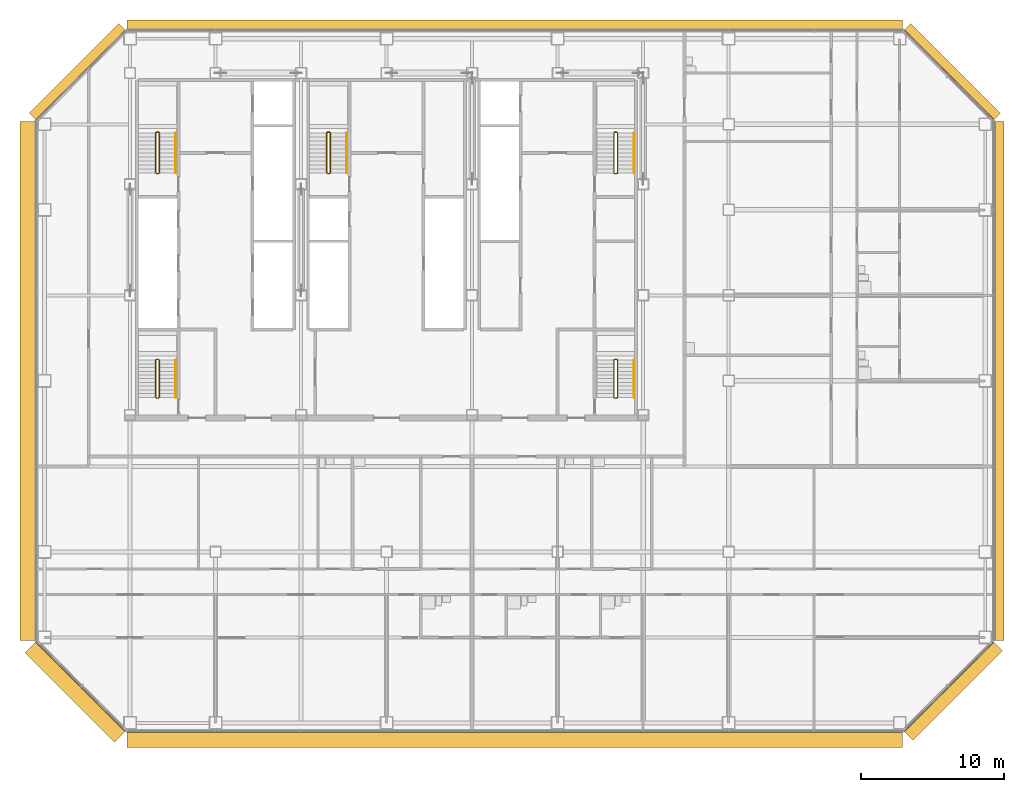
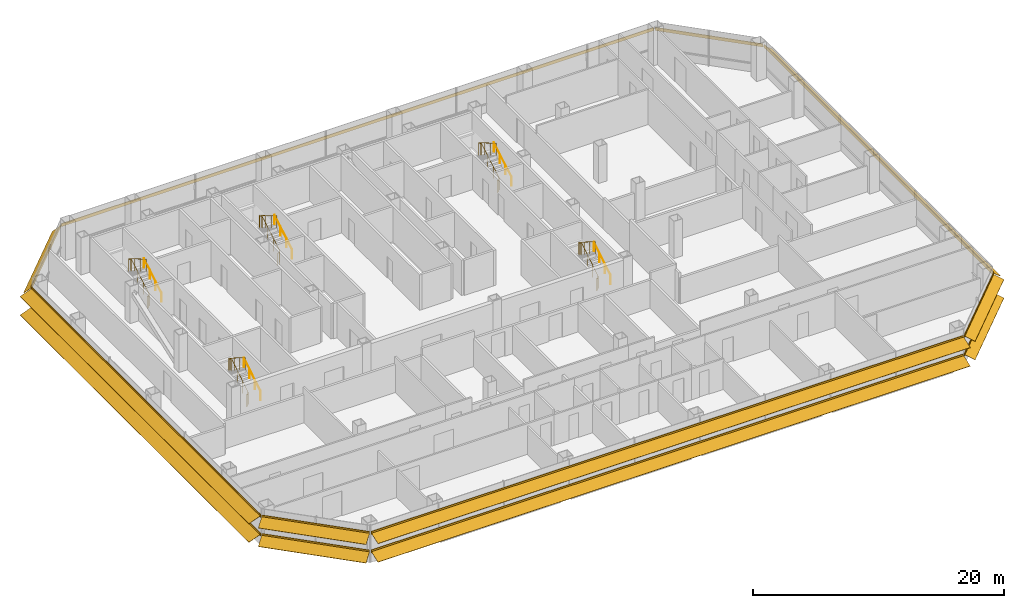
# One storey, part 25 of 26: 10 railings, 8 shading devices.
"""IFC4 building model written with IfcOpenShell, lengths in metres."""

from ifc_helpers import new_model, si_unit, direction, frame, origin, origin_2d, place, context, subcontext, project, spatial, polyline, circle, outline, composite_profile, extrude, material, type_object, element, save


model = new_model("IFC4")

# Units and contexts
model_context = context("Model", 3, precision=1e-05, world=origin(), true_north=direction((0.0, 1.0)))
body_context = subcontext(model_context, "Body", "Model", "MODEL_VIEW")
ifc_project = project(units=[si_unit("LENGTHUNIT", "METRE"), si_unit("AREAUNIT", "SQUARE_METRE"), si_unit("VOLUMEUNIT", "CUBIC_METRE"), si_unit("PLANEANGLEUNIT", "RADIAN"), si_unit("MASSUNIT", "GRAM", prefix="KILO")], contexts=[model_context])

# Site, building, storey
site_placement = place(None, origin())
site = spatial("IfcSite", under=ifc_project, at=site_placement, CompositionType="ELEMENT")
building_placement = place(site_placement, origin())
building = spatial("IfcBuilding", under=site, at=building_placement, Name="Sorahane Residences", CompositionType="ELEMENT")
storey_placement = place(building_placement, frame((0.0, 0.0, 71.39990234375)))
storey = spatial("IfcBuildingStorey", under=building, at=storey_placement, Name="L14", CompositionType="ELEMENT", Elevation=71.39990234375)

# Shading devices
ifc_material_1 = material(Name="Terracotta anodised aluminium", Category="masonry")
shading_device_type_1 = type_object("IfcShadingDeviceType", Name="Louvre sunshade blade E terracotta aluminium 700", PredefinedType="JALOUSIE", material=ifc_material_1)
shading_device_1_placement = place(storey_placement, frame((66.60009765625, 5.801513671875, 2.7001953125), z_axis=(0.0, 1.0, 0.0), x_axis=(-1.0, 0.0, 0.0)))
element("IfcShadingDevice", 1, at=shading_device_1_placement, inside=storey, type_object=shading_device_type_1, Name="Louvre sunshade blade bank E L14 E1", PredefinedType="JALOUSIE", context=body_context, shape_type="SweptSolid", body=[
    extrude(outline(polyline([(-0.719970703125, -0.49365234375), (-0.719970703125, -0.523681640625), (-0.080078125, -0.05859375), (-0.080078125, -0.14990234375), (-0.02001953125, -0.14990234375), (-0.02001953125, -0.014892578125), (-0.02001953125, 0.014892578125), (-0.02001953125, 0.14990234375), (-0.080078125, 0.14990234375), (-0.080078125, -0.028564453125), (-0.719970703125, -0.49365234375)])), origin(), (0.0, 0.0, 1.0), 36.39697265625),
])
ifc_material_2 = material(Name="Terracotta anodised aluminium", Category="masonry")
shading_device_type_2 = type_object("IfcShadingDeviceType", Name="Louvre sunshade blade N terracotta aluminium 700", PredefinedType="JALOUSIE", material=ifc_material_2)
shading_device_2_placement = place(storey_placement, frame((60.198486328125, 48.60009765625, 2.7001953125), z_axis=(-1.0, 0.0, 0.0), x_axis=(0.0, -1.0, 0.0)))
element("IfcShadingDevice", 2, at=shading_device_2_placement, inside=storey, type_object=shading_device_type_2, Name="Louvre sunshade blade bank N L14 N1", PredefinedType="JALOUSIE", context=body_context, shape_type="SweptSolid", body=[
    extrude(outline(polyline([(-0.719970703125, -0.660888671875), (-0.719970703125, -0.69091796875), (-0.080078125, -0.072998046875), (-0.080078125, -0.14990234375), (-0.02001953125, -0.14990234375), (-0.02001953125, -0.014892578125), (-0.02001953125, 0.014892578125), (-0.02001953125, 0.14990234375), (-0.080078125, 0.14990234375), (-0.080078125, -0.04296875), (-0.719970703125, -0.660888671875)])), origin(), (0.0, 0.0, 1.0), 54.39697265625),
])
ifc_material_3 = material(Name="Terracotta anodised aluminium", Category="masonry")
shading_device_type_3 = type_object("IfcShadingDeviceType", Name="Louvre sunshade blade NE terracotta aluminium 700", PredefinedType="JALOUSIE", material=ifc_material_3)
shading_device_3_placement = place(storey_placement, frame((66.564697265625, 42.283935546875, 2.7001953125), z_axis=(-0.707106781187, 0.707106781187, 0.0), x_axis=(-0.707106781187, -0.707106781187, 0.0)))
element("IfcShadingDevice", 3, at=shading_device_3_placement, inside=storey, type_object=shading_device_type_3, Name="Louvre sunshade blade bank NE L14 NE1", PredefinedType="JALOUSIE", context=body_context, shape_type="SweptSolid", body=[
    extrude(outline(polyline([(-0.719970703125, -0.572509765625), (-0.719970703125, -0.602294921875), (-0.080078125, -0.065185546875), (-0.080078125, -0.14990234375), (-0.02001953125, -0.14990234375), (-0.02001953125, -0.014892578125), (-0.02001953125, 0.014892578125), (-0.02001953125, 0.14990234375), (-0.080078125, 0.14990234375), (-0.080078125, -0.035400390625), (-0.719970703125, -0.572509765625)])), origin(), (0.0, 0.0, 1.0), 8.88232421875),
])
ifc_material_4 = material(Name="Terracotta anodised aluminium", Category="masonry")
shading_device_type_4 = type_object("IfcShadingDeviceType", Name="Louvre sunshade blade NW terracotta aluminium 700", PredefinedType="JALOUSIE", material=ifc_material_4)
shading_device_4_placement = place(storey_placement, frame((5.716064453125, 48.564697265625, 2.7001953125), z_axis=(-0.707106781187, -0.707106781187, 0.0), x_axis=(0.707106781187, -0.707106781187, 0.0)))
element("IfcShadingDevice", 4, at=shading_device_4_placement, inside=storey, type_object=shading_device_type_4, Name="Louvre sunshade blade bank NW L14 NW1", PredefinedType="JALOUSIE", context=body_context, shape_type="SweptSolid", body=[
    extrude(outline(polyline([(-0.719970703125, -0.660888671875), (-0.719970703125, -0.69091796875), (-0.080078125, -0.072998046875), (-0.080078125, -0.14990234375), (-0.02001953125, -0.14990234375), (-0.02001953125, -0.014892578125), (-0.02001953125, 0.014892578125), (-0.02001953125, 0.14990234375), (-0.080078125, 0.14990234375), (-0.080078125, -0.04296875), (-0.719970703125, -0.660888671875)])), origin(), (0.0, 0.0, 1.0), 8.88232421875),
])
ifc_material_5 = material(Name="Terracotta anodised aluminium", Category="masonry")
shading_device_type_5 = type_object("IfcShadingDeviceType", Name="Louvre sunshade blade S terracotta aluminium 1100", PredefinedType="JALOUSIE", material=ifc_material_5)
shading_device_5_placement = place(storey_placement, frame((5.801513671875, -0.60009765625, 0.900146484375), z_axis=(1.0, 0.0, 0.0), x_axis=(0.0, 1.0, 0.0)))
element("IfcShadingDevice", 5, at=shading_device_5_placement, inside=storey, type_object=shading_device_type_5, Name="Louvre sunshade blade bank S L14 S1", PredefinedType="JALOUSIE", context=body_context, shape_type="SweptSolid", body=[
    extrude(composite_profile([outline(polyline([(-1.1201171875, -0.385498046875), (-1.1201171875, -0.415283203125), (-0.080078125, -0.036865234375), (-0.080078125, -0.14990234375), (-0.02001953125, -0.14990234375), (-0.02001953125, -0.014892578125), (-0.02001953125, 0.014892578125), (-0.02001953125, 0.14990234375), (-0.080078125, 0.14990234375), (-0.080078125, -0.0068359375), (-1.1201171875, -0.385498046875)])), outline(polyline([(-1.1201171875, 1.41455078125), (-1.1201171875, 1.384521484375), (-0.080078125, 1.76318359375), (-0.080078125, 1.64990234375), (-0.02001953125, 1.64990234375), (-0.02001953125, 1.784912109375), (-0.02001953125, 1.81494140625), (-0.02001953125, 1.949951171875), (-0.080078125, 1.949951171875), (-0.080078125, 1.793212890625), (-1.1201171875, 1.41455078125)]))]), origin(), (0.0, 0.0, 1.0), 54.39697265625),
])
ifc_material_6 = material(Name="Terracotta anodised aluminium", Category="masonry")
shading_device_type_6 = type_object("IfcShadingDeviceType", Name="Louvre sunshade blade SE terracotta aluminium 900", PredefinedType="JALOUSIE", material=ifc_material_6)
shading_device_6_placement = place(storey_placement, frame((60.283935546875, -0.564697265625, 0.900146484375), z_axis=(0.707106781187, 0.707106781187, 0.0), x_axis=(-0.707106781187, 0.707106781187, 0.0)))
element("IfcShadingDevice", 6, at=shading_device_6_placement, inside=storey, type_object=shading_device_type_6, Name="Louvre sunshade blade bank SE L14 SE1", PredefinedType="JALOUSIE", context=body_context, shape_type="SweptSolid", body=[
    extrude(composite_profile([outline(polyline([(-0.919921875, -0.3486328125), (-0.919921875, -0.378662109375), (-0.080078125, -0.039306640625), (-0.080078125, -0.14990234375), (-0.02001953125, -0.14990234375), (-0.02001953125, -0.014892578125), (-0.02001953125, 0.014892578125), (-0.02001953125, 0.14990234375), (-0.080078125, 0.14990234375), (-0.080078125, -0.00927734375), (-0.919921875, -0.3486328125)])), outline(polyline([(-0.919921875, 1.451416015625), (-0.919921875, 1.42138671875), (-0.080078125, 1.7607421875), (-0.080078125, 1.64990234375), (-0.02001953125, 1.64990234375), (-0.02001953125, 1.784912109375), (-0.02001953125, 1.81494140625), (-0.02001953125, 1.949951171875), (-0.080078125, 1.949951171875), (-0.080078125, 1.790771484375), (-0.919921875, 1.451416015625)]))]), origin(), (0.0, 0.0, 1.0), 8.88232421875),
])
ifc_material_7 = material(Name="Terracotta anodised aluminium", Category="masonry")
shading_device_type_7 = type_object("IfcShadingDeviceType", Name="Louvre sunshade blade SW terracotta aluminium 1100", PredefinedType="JALOUSIE", material=ifc_material_7)
shading_device_7_placement = place(storey_placement, frame((-0.564697265625, 5.716064453125, 0.900146484375), z_axis=(0.707106781187, -0.707106781187, 0.0), x_axis=(0.707106781187, 0.707106781187, 0.0)))
element("IfcShadingDevice", 7, at=shading_device_7_placement, inside=storey, type_object=shading_device_type_7, Name="Louvre sunshade blade bank SW L14 SW1", PredefinedType="JALOUSIE", context=body_context, shape_type="SweptSolid", body=[
    extrude(composite_profile([outline(polyline([(-1.1201171875, -0.385498046875), (-1.1201171875, -0.415283203125), (-0.080078125, -0.036865234375), (-0.080078125, -0.14990234375), (-0.02001953125, -0.14990234375), (-0.02001953125, -0.014892578125), (-0.02001953125, 0.014892578125), (-0.02001953125, 0.14990234375), (-0.080078125, 0.14990234375), (-0.080078125, -0.0068359375), (-1.1201171875, -0.385498046875)])), outline(polyline([(-1.1201171875, 1.41455078125), (-1.1201171875, 1.384521484375), (-0.080078125, 1.76318359375), (-0.080078125, 1.64990234375), (-0.02001953125, 1.64990234375), (-0.02001953125, 1.784912109375), (-0.02001953125, 1.81494140625), (-0.02001953125, 1.949951171875), (-0.080078125, 1.949951171875), (-0.080078125, 1.793212890625), (-1.1201171875, 1.41455078125)]))]), origin(), (0.0, 0.0, 1.0), 8.88232421875),
])
ifc_material_8 = material(Name="Terracotta anodised aluminium", Category="masonry")
shading_device_type_8 = type_object("IfcShadingDeviceType", Name="Louvre sunshade blade W terracotta aluminium 1100", PredefinedType="JALOUSIE", material=ifc_material_8)
shading_device_8_placement = place(storey_placement, frame((-0.60009765625, 42.198486328125, 0.900146484375), z_axis=(0.0, -1.0, 0.0), x_axis=(1.0, 0.0, 0.0)))
element("IfcShadingDevice", 8, at=shading_device_8_placement, inside=storey, type_object=shading_device_type_8, Name="Louvre sunshade blade bank W L14 W1", PredefinedType="JALOUSIE", context=body_context, shape_type="SweptSolid", body=[
    extrude(composite_profile([outline(polyline([(-1.1201171875, -0.385498046875), (-1.1201171875, -0.415283203125), (-0.080078125, -0.036865234375), (-0.080078125, -0.14990234375), (-0.02001953125, -0.14990234375), (-0.02001953125, -0.014892578125), (-0.02001953125, 0.014892578125), (-0.02001953125, 0.14990234375), (-0.080078125, 0.14990234375), (-0.080078125, -0.0068359375), (-1.1201171875, -0.385498046875)])), outline(polyline([(-1.1201171875, 1.41455078125), (-1.1201171875, 1.384521484375), (-0.080078125, 1.76318359375), (-0.080078125, 1.64990234375), (-0.02001953125, 1.64990234375), (-0.02001953125, 1.784912109375), (-0.02001953125, 1.81494140625), (-0.02001953125, 1.949951171875), (-0.080078125, 1.949951171875), (-0.080078125, 1.793212890625), (-1.1201171875, 1.41455078125)]))]), origin(), (0.0, 0.0, 1.0), 36.39697265625),
])

# Railings
ifc_material_9 = material(Name="Steel Q355B", Category="steel")
railing_type_1 = type_object("IfcRailingType", Name="Stair guard 1200 Steel Q355B", PredefinedType="GUARDRAIL", material=ifc_material_9)
railing_1_placement = place(storey_placement, frame((7.85009765625, 38.550048828125, 0.0)))
element("IfcRailing", 9, at=railing_1_placement, inside=storey, type_object=railing_type_1, Name="L14 S1 stair guard 1", PredefinedType="GUARDRAIL", context=body_context, shape_type="SweptSolid", body=[
    extrude(circle(Radius=0.02392578125, at=origin_2d()), frame((0.0, 0.0, 1.17578125), z_axis=(1.0, 0.0, 0.0), x_axis=(0.0, 1.0, 0.0)), (0.0, 0.0, 1.0), 0.14990234375),
    extrude(circle(Radius=0.02392578125, at=origin_2d()), frame((0.14990234375, 0.0, 1.17578125), z_axis=(0.280456126637, 0.280456126637, 0.917980785237), x_axis=(-0.707106781187, 0.707106781187, 0.0)), (0.0, 0.0, 1.0), 0.178466796875),
    extrude(circle(Radius=0.02392578125, at=origin_2d()), frame((0.199951171875, 0.050048828125, 1.33984375), z_axis=(0.0, 0.863374499697, 0.504563646405), x_axis=(-1.0, 0.0, 0.0)), (0.0, 0.0, 1.0), 3.242919921875),
    extrude(circle(Radius=0.02392578125, at=origin_2d()), frame((0.199951171875, 2.849853515625, 2.97607421875), z_axis=(-0.707106781187, 0.707106781187, 0.0), x_axis=(-0.707106781187, -0.707106781187, 0.0)), (0.0, 0.0, 1.0), 0.07080078125),
    extrude(circle(Radius=0.02392578125, at=origin_2d()), frame((0.14990234375, 2.89990234375, 2.97607421875), z_axis=(-1.0, 0.0, 0.0), x_axis=(0.0, -1.0, 0.0)), (0.0, 0.0, 1.0), 0.14990234375),
    extrude(circle(Radius=0.02392578125, at=origin_2d()), frame((0.0, 2.89990234375, 2.97607421875), z_axis=(-0.280808744504, -0.280808744504, 0.917765164963), x_axis=(0.707106781187, -0.707106781187, 0.0)), (0.0, 0.0, 1.0), 0.17822265625),
    extrude(circle(Radius=0.02392578125, at=origin_2d()), frame((-0.050048828125, 2.849853515625, 3.1396484375), z_axis=(0.0, -0.863341702679, 0.504619762213), x_axis=(1.0, 0.0, 0.0)), (0.0, 0.0, 1.0), 3.242919921875),
    extrude(circle(Radius=0.02099609375, at=origin_2d()), origin(), (0.0, 0.0, 1.0), 1.15185546875),
    extrude(circle(Radius=0.02099609375, at=origin_2d()), frame((0.14990234375, 0.0, 0.0)), (0.0, 0.0, 1.0), 1.15185546875),
    extrude(circle(Radius=0.02099609375, at=origin_2d()), frame((0.199951171875, 0.050048828125, 0.163818359375)), (0.0, 0.0, 1.0), 1.15185546875),
    extrude(circle(Radius=0.02099609375, at=origin_2d()), frame((0.199951171875, 0.9833984375, 0.709228515625)), (0.0, 0.0, 1.0), 1.15185546875),
    extrude(circle(Radius=0.02099609375, at=origin_2d()), frame((0.199951171875, 1.91650390625, 1.254638671875)), (0.0, 0.0, 1.0), 1.15185546875),
    extrude(circle(Radius=0.02099609375, at=origin_2d()), frame((0.199951171875, 2.849853515625, 1.800048828125)), (0.0, 0.0, 1.0), 1.15185546875),
    extrude(circle(Radius=0.02099609375, at=origin_2d()), frame((0.14990234375, 2.89990234375, 1.800048828125)), (0.0, 0.0, 1.0), 1.15185546875),
    extrude(circle(Radius=0.02099609375, at=origin_2d()), frame((0.0, 2.89990234375, 1.800048828125)), (0.0, 0.0, 1.0), 1.15185546875),
    extrude(circle(Radius=0.02099609375, at=origin_2d()), frame((-0.050048828125, 2.849853515625, 1.963623046875)), (0.0, 0.0, 1.0), 1.15185546875),
    extrude(circle(Radius=0.02099609375, at=origin_2d()), frame((-0.050048828125, 1.91650390625, 2.509033203125)), (0.0, 0.0, 1.0), 1.15185546875),
    extrude(circle(Radius=0.02099609375, at=origin_2d()), frame((-0.050048828125, 0.9833984375, 3.0546875)), (0.0, 0.0, 1.0), 1.15185546875),
    extrude(circle(Radius=0.02099609375, at=origin_2d()), frame((-0.050048828125, 0.050048828125, 3.60009765625)), (0.0, 0.0, 1.0), 1.15185546875),
])
railing_2_placement = place(storey_placement, frame((40.0, 38.550048828125, 0.0)))
element("IfcRailing", 10, at=railing_2_placement, inside=storey, type_object=railing_type_1, Name="L14 S2 stair guard 1", PredefinedType="GUARDRAIL", context=body_context, shape_type="SweptSolid", body=[
    extrude(circle(Radius=0.02392578125, at=origin_2d()), frame((0.0, 0.0, 1.17578125), z_axis=(1.0, 0.0, 0.0), x_axis=(0.0, 1.0, 0.0)), (0.0, 0.0, 1.0), 0.14990234375),
    extrude(circle(Radius=0.02392578125, at=origin_2d()), frame((0.14990234375, 0.0, 1.17578125), z_axis=(0.280456126637, 0.280456126637, 0.917980785237), x_axis=(-0.707106781187, 0.707106781187, 0.0)), (0.0, 0.0, 1.0), 0.178466796875),
    extrude(circle(Radius=0.02392578125, at=origin_2d()), frame((0.199951171875, 0.050048828125, 1.33984375), z_axis=(0.0, 0.863374499697, 0.504563646405), x_axis=(-1.0, 0.0, 0.0)), (0.0, 0.0, 1.0), 3.242919921875),
    extrude(circle(Radius=0.02392578125, at=origin_2d()), frame((0.199951171875, 2.849853515625, 2.97607421875), z_axis=(-0.707106781187, 0.707106781187, 0.0), x_axis=(-0.707106781187, -0.707106781187, 0.0)), (0.0, 0.0, 1.0), 0.07080078125),
    extrude(circle(Radius=0.02392578125, at=origin_2d()), frame((0.14990234375, 2.89990234375, 2.97607421875), z_axis=(-1.0, 0.0, 0.0), x_axis=(0.0, -1.0, 0.0)), (0.0, 0.0, 1.0), 0.14990234375),
    extrude(circle(Radius=0.02392578125, at=origin_2d()), frame((0.0, 2.89990234375, 2.97607421875), z_axis=(-0.280808744504, -0.280808744504, 0.917765164963), x_axis=(0.707106781187, -0.707106781187, 0.0)), (0.0, 0.0, 1.0), 0.17822265625),
    extrude(circle(Radius=0.02392578125, at=origin_2d()), frame((-0.050048828125, 2.849853515625, 3.1396484375), z_axis=(0.0, -0.863341702679, 0.504619762213), x_axis=(1.0, 0.0, 0.0)), (0.0, 0.0, 1.0), 3.242919921875),
    extrude(circle(Radius=0.02099609375, at=origin_2d()), origin(), (0.0, 0.0, 1.0), 1.15185546875),
    extrude(circle(Radius=0.02099609375, at=origin_2d()), frame((0.14990234375, 0.0, 0.0)), (0.0, 0.0, 1.0), 1.15185546875),
    extrude(circle(Radius=0.02099609375, at=origin_2d()), frame((0.199951171875, 0.050048828125, 0.163818359375)), (0.0, 0.0, 1.0), 1.15185546875),
    extrude(circle(Radius=0.02099609375, at=origin_2d()), frame((0.199951171875, 0.9833984375, 0.709228515625)), (0.0, 0.0, 1.0), 1.15185546875),
    extrude(circle(Radius=0.02099609375, at=origin_2d()), frame((0.199951171875, 1.91650390625, 1.254638671875)), (0.0, 0.0, 1.0), 1.15185546875),
    extrude(circle(Radius=0.02099609375, at=origin_2d()), frame((0.199951171875, 2.849853515625, 1.800048828125)), (0.0, 0.0, 1.0), 1.15185546875),
    extrude(circle(Radius=0.02099609375, at=origin_2d()), frame((0.14990234375, 2.89990234375, 1.800048828125)), (0.0, 0.0, 1.0), 1.15185546875),
    extrude(circle(Radius=0.02099609375, at=origin_2d()), frame((0.0, 2.89990234375, 1.800048828125)), (0.0, 0.0, 1.0), 1.15185546875),
    extrude(circle(Radius=0.02099609375, at=origin_2d()), frame((-0.050048828125, 2.849853515625, 1.963623046875)), (0.0, 0.0, 1.0), 1.15185546875),
    extrude(circle(Radius=0.02099609375, at=origin_2d()), frame((-0.050048828125, 1.91650390625, 2.509033203125)), (0.0, 0.0, 1.0), 1.15185546875),
    extrude(circle(Radius=0.02099609375, at=origin_2d()), frame((-0.050048828125, 0.9833984375, 3.0546875)), (0.0, 0.0, 1.0), 1.15185546875),
    extrude(circle(Radius=0.02099609375, at=origin_2d()), frame((-0.050048828125, 0.050048828125, 3.60009765625)), (0.0, 0.0, 1.0), 1.15185546875),
])
railing_3_placement = place(storey_placement, frame((19.85009765625, 38.550048828125, 0.0)))
element("IfcRailing", 11, at=railing_3_placement, inside=storey, type_object=railing_type_1, Name="L14 S3 stair guard 1", PredefinedType="GUARDRAIL", context=body_context, shape_type="SweptSolid", body=[
    extrude(circle(Radius=0.02392578125, at=origin_2d()), frame((0.0, 0.0, 1.17578125), z_axis=(1.0, 0.0, 0.0), x_axis=(0.0, 1.0, 0.0)), (0.0, 0.0, 1.0), 0.14990234375),
    extrude(circle(Radius=0.02392578125, at=origin_2d()), frame((0.14990234375, 0.0, 1.17578125), z_axis=(0.280456126637, 0.280456126637, 0.917980785237), x_axis=(-0.707106781187, 0.707106781187, 0.0)), (0.0, 0.0, 1.0), 0.178466796875),
    extrude(circle(Radius=0.02392578125, at=origin_2d()), frame((0.199951171875, 0.050048828125, 1.33984375), z_axis=(0.0, 0.863374499697, 0.504563646405), x_axis=(-1.0, 0.0, 0.0)), (0.0, 0.0, 1.0), 3.242919921875),
    extrude(circle(Radius=0.02392578125, at=origin_2d()), frame((0.199951171875, 2.849853515625, 2.97607421875), z_axis=(-0.707106781187, 0.707106781187, 0.0), x_axis=(-0.707106781187, -0.707106781187, 0.0)), (0.0, 0.0, 1.0), 0.07080078125),
    extrude(circle(Radius=0.02392578125, at=origin_2d()), frame((0.14990234375, 2.89990234375, 2.97607421875), z_axis=(-1.0, 0.0, 0.0), x_axis=(0.0, -1.0, 0.0)), (0.0, 0.0, 1.0), 0.14990234375),
    extrude(circle(Radius=0.02392578125, at=origin_2d()), frame((0.0, 2.89990234375, 2.97607421875), z_axis=(-0.280808744504, -0.280808744504, 0.917765164963), x_axis=(0.707106781187, -0.707106781187, 0.0)), (0.0, 0.0, 1.0), 0.17822265625),
    extrude(circle(Radius=0.02392578125, at=origin_2d()), frame((-0.050048828125, 2.849853515625, 3.1396484375), z_axis=(0.0, -0.863341702679, 0.504619762213), x_axis=(1.0, 0.0, 0.0)), (0.0, 0.0, 1.0), 3.242919921875),
    extrude(circle(Radius=0.02099609375, at=origin_2d()), origin(), (0.0, 0.0, 1.0), 1.15185546875),
    extrude(circle(Radius=0.02099609375, at=origin_2d()), frame((0.14990234375, 0.0, 0.0)), (0.0, 0.0, 1.0), 1.15185546875),
    extrude(circle(Radius=0.02099609375, at=origin_2d()), frame((0.199951171875, 0.050048828125, 0.163818359375)), (0.0, 0.0, 1.0), 1.15185546875),
    extrude(circle(Radius=0.02099609375, at=origin_2d()), frame((0.199951171875, 0.9833984375, 0.709228515625)), (0.0, 0.0, 1.0), 1.15185546875),
    extrude(circle(Radius=0.02099609375, at=origin_2d()), frame((0.199951171875, 1.91650390625, 1.254638671875)), (0.0, 0.0, 1.0), 1.15185546875),
    extrude(circle(Radius=0.02099609375, at=origin_2d()), frame((0.199951171875, 2.849853515625, 1.800048828125)), (0.0, 0.0, 1.0), 1.15185546875),
    extrude(circle(Radius=0.02099609375, at=origin_2d()), frame((0.14990234375, 2.89990234375, 1.800048828125)), (0.0, 0.0, 1.0), 1.15185546875),
    extrude(circle(Radius=0.02099609375, at=origin_2d()), frame((0.0, 2.89990234375, 1.800048828125)), (0.0, 0.0, 1.0), 1.15185546875),
    extrude(circle(Radius=0.02099609375, at=origin_2d()), frame((-0.050048828125, 2.849853515625, 1.963623046875)), (0.0, 0.0, 1.0), 1.15185546875),
    extrude(circle(Radius=0.02099609375, at=origin_2d()), frame((-0.050048828125, 1.91650390625, 2.509033203125)), (0.0, 0.0, 1.0), 1.15185546875),
    extrude(circle(Radius=0.02099609375, at=origin_2d()), frame((-0.050048828125, 0.9833984375, 3.0546875)), (0.0, 0.0, 1.0), 1.15185546875),
    extrude(circle(Radius=0.02099609375, at=origin_2d()), frame((-0.050048828125, 0.050048828125, 3.60009765625)), (0.0, 0.0, 1.0), 1.15185546875),
])
railing_4_placement = place(storey_placement, frame((7.85009765625, 22.800048828125, 0.0)))
element("IfcRailing", 12, at=railing_4_placement, inside=storey, type_object=railing_type_1, Name="L14 S4 stair guard 1", PredefinedType="GUARDRAIL", context=body_context, shape_type="SweptSolid", body=[
    extrude(circle(Radius=0.02392578125, at=origin_2d()), frame((0.0, 0.0, 1.17578125), z_axis=(1.0, 0.0, 0.0), x_axis=(0.0, 1.0, 0.0)), (0.0, 0.0, 1.0), 0.14990234375),
    extrude(circle(Radius=0.02392578125, at=origin_2d()), frame((0.14990234375, 0.0, 1.17578125), z_axis=(0.280456126637, 0.280456126637, 0.917980785237), x_axis=(-0.707106781187, 0.707106781187, 0.0)), (0.0, 0.0, 1.0), 0.178466796875),
    extrude(circle(Radius=0.02392578125, at=origin_2d()), frame((0.199951171875, 0.050048828125, 1.33984375), z_axis=(0.0, 0.846337672412, 0.532646734952), x_axis=(-1.0, 0.0, 0.0)), (0.0, 0.0, 1.0), 3.07177734375),
    extrude(circle(Radius=0.02392578125, at=origin_2d()), frame((0.199951171875, 2.64990234375, 2.97607421875), z_axis=(-0.707106781187, 0.707106781187, 0.0), x_axis=(-0.707106781187, -0.707106781187, 0.0)), (0.0, 0.0, 1.0), 0.07080078125),
    extrude(circle(Radius=0.02392578125, at=origin_2d()), frame((0.14990234375, 2.699951171875, 2.97607421875), z_axis=(-1.0, 0.0, 0.0), x_axis=(0.0, -1.0, 0.0)), (0.0, 0.0, 1.0), 0.14990234375),
    extrude(circle(Radius=0.02392578125, at=origin_2d()), frame((0.0, 2.699951171875, 2.97607421875), z_axis=(-0.280808744504, -0.280808744504, 0.917765164963), x_axis=(0.707106781187, -0.707106781187, 0.0)), (0.0, 0.0, 1.0), 0.17822265625),
    extrude(circle(Radius=0.02392578125, at=origin_2d()), frame((-0.050048828125, 2.64990234375, 3.1396484375), z_axis=(0.0, -0.846301844409, 0.532703658848), x_axis=(1.0, 0.0, 0.0)), (0.0, 0.0, 1.0), 3.072021484375),
    extrude(circle(Radius=0.02099609375, at=origin_2d()), origin(), (0.0, 0.0, 1.0), 1.15185546875),
    extrude(circle(Radius=0.02099609375, at=origin_2d()), frame((0.14990234375, 0.0, 0.0)), (0.0, 0.0, 1.0), 1.15185546875),
    extrude(circle(Radius=0.02099609375, at=origin_2d()), frame((0.199951171875, 0.050048828125, 0.163818359375)), (0.0, 0.0, 1.0), 1.15185546875),
    extrude(circle(Radius=0.02099609375, at=origin_2d()), frame((0.199951171875, 0.916748046875, 0.709228515625)), (0.0, 0.0, 1.0), 1.15185546875),
    extrude(circle(Radius=0.02099609375, at=origin_2d()), frame((0.199951171875, 1.783203125, 1.254638671875)), (0.0, 0.0, 1.0), 1.15185546875),
    extrude(circle(Radius=0.02099609375, at=origin_2d()), frame((0.199951171875, 2.64990234375, 1.800048828125)), (0.0, 0.0, 1.0), 1.15185546875),
    extrude(circle(Radius=0.02099609375, at=origin_2d()), frame((0.14990234375, 2.699951171875, 1.800048828125)), (0.0, 0.0, 1.0), 1.15185546875),
    extrude(circle(Radius=0.02099609375, at=origin_2d()), frame((0.0, 2.699951171875, 1.800048828125)), (0.0, 0.0, 1.0), 1.15185546875),
    extrude(circle(Radius=0.02099609375, at=origin_2d()), frame((-0.050048828125, 2.64990234375, 1.963623046875)), (0.0, 0.0, 1.0), 1.15185546875),
    extrude(circle(Radius=0.02099609375, at=origin_2d()), frame((-0.050048828125, 1.783203125, 2.509033203125)), (0.0, 0.0, 1.0), 1.15185546875),
    extrude(circle(Radius=0.02099609375, at=origin_2d()), frame((-0.050048828125, 0.916748046875, 3.0546875)), (0.0, 0.0, 1.0), 1.15185546875),
    extrude(circle(Radius=0.02099609375, at=origin_2d()), frame((-0.050048828125, 0.050048828125, 3.60009765625)), (0.0, 0.0, 1.0), 1.15185546875),
])
railing_5_placement = place(storey_placement, frame((40.0, 22.800048828125, 0.0)))
element("IfcRailing", 13, at=railing_5_placement, inside=storey, type_object=railing_type_1, Name="L14 S5 stair guard 1", PredefinedType="GUARDRAIL", context=body_context, shape_type="SweptSolid", body=[
    extrude(circle(Radius=0.02392578125, at=origin_2d()), frame((0.0, 0.0, 1.17578125), z_axis=(1.0, 0.0, 0.0), x_axis=(0.0, 1.0, 0.0)), (0.0, 0.0, 1.0), 0.14990234375),
    extrude(circle(Radius=0.02392578125, at=origin_2d()), frame((0.14990234375, 0.0, 1.17578125), z_axis=(0.280456126637, 0.280456126637, 0.917980785237), x_axis=(-0.707106781187, 0.707106781187, 0.0)), (0.0, 0.0, 1.0), 0.178466796875),
    extrude(circle(Radius=0.02392578125, at=origin_2d()), frame((0.199951171875, 0.050048828125, 1.33984375), z_axis=(0.0, 0.846337672412, 0.532646734952), x_axis=(-1.0, 0.0, 0.0)), (0.0, 0.0, 1.0), 3.07177734375),
    extrude(circle(Radius=0.02392578125, at=origin_2d()), frame((0.199951171875, 2.64990234375, 2.97607421875), z_axis=(-0.707106781187, 0.707106781187, 0.0), x_axis=(-0.707106781187, -0.707106781187, 0.0)), (0.0, 0.0, 1.0), 0.07080078125),
    extrude(circle(Radius=0.02392578125, at=origin_2d()), frame((0.14990234375, 2.699951171875, 2.97607421875), z_axis=(-1.0, 0.0, 0.0), x_axis=(0.0, -1.0, 0.0)), (0.0, 0.0, 1.0), 0.14990234375),
    extrude(circle(Radius=0.02392578125, at=origin_2d()), frame((0.0, 2.699951171875, 2.97607421875), z_axis=(-0.280808744504, -0.280808744504, 0.917765164963), x_axis=(0.707106781187, -0.707106781187, 0.0)), (0.0, 0.0, 1.0), 0.17822265625),
    extrude(circle(Radius=0.02392578125, at=origin_2d()), frame((-0.050048828125, 2.64990234375, 3.1396484375), z_axis=(0.0, -0.846301844409, 0.532703658848), x_axis=(1.0, 0.0, 0.0)), (0.0, 0.0, 1.0), 3.072021484375),
    extrude(circle(Radius=0.02099609375, at=origin_2d()), origin(), (0.0, 0.0, 1.0), 1.15185546875),
    extrude(circle(Radius=0.02099609375, at=origin_2d()), frame((0.14990234375, 0.0, 0.0)), (0.0, 0.0, 1.0), 1.15185546875),
    extrude(circle(Radius=0.02099609375, at=origin_2d()), frame((0.199951171875, 0.050048828125, 0.163818359375)), (0.0, 0.0, 1.0), 1.15185546875),
    extrude(circle(Radius=0.02099609375, at=origin_2d()), frame((0.199951171875, 0.916748046875, 0.709228515625)), (0.0, 0.0, 1.0), 1.15185546875),
    extrude(circle(Radius=0.02099609375, at=origin_2d()), frame((0.199951171875, 1.783203125, 1.254638671875)), (0.0, 0.0, 1.0), 1.15185546875),
    extrude(circle(Radius=0.02099609375, at=origin_2d()), frame((0.199951171875, 2.64990234375, 1.800048828125)), (0.0, 0.0, 1.0), 1.15185546875),
    extrude(circle(Radius=0.02099609375, at=origin_2d()), frame((0.14990234375, 2.699951171875, 1.800048828125)), (0.0, 0.0, 1.0), 1.15185546875),
    extrude(circle(Radius=0.02099609375, at=origin_2d()), frame((0.0, 2.699951171875, 1.800048828125)), (0.0, 0.0, 1.0), 1.15185546875),
    extrude(circle(Radius=0.02099609375, at=origin_2d()), frame((-0.050048828125, 2.64990234375, 1.963623046875)), (0.0, 0.0, 1.0), 1.15185546875),
    extrude(circle(Radius=0.02099609375, at=origin_2d()), frame((-0.050048828125, 1.783203125, 2.509033203125)), (0.0, 0.0, 1.0), 1.15185546875),
    extrude(circle(Radius=0.02099609375, at=origin_2d()), frame((-0.050048828125, 0.916748046875, 3.0546875)), (0.0, 0.0, 1.0), 1.15185546875),
    extrude(circle(Radius=0.02099609375, at=origin_2d()), frame((-0.050048828125, 0.050048828125, 3.60009765625)), (0.0, 0.0, 1.0), 1.15185546875),
])
ifc_material_10 = material(Name="Steel Q355B", Category="steel")
railing_type_2 = type_object("IfcRailingType", Name="Stair handrail 900 Steel Q355B", PredefinedType="HANDRAIL", material=ifc_material_10)
for number, where, name in (
    (14, (9.199951171875, 38.60009765625, 0.163818359375), "L14 S1 stair handrail 1"),
    (15, (41.35009765625, 38.60009765625, 0.163818359375), "L14 S2 stair handrail 1"),
    (16, (21.199951171875, 38.60009765625, 0.163818359375), "L14 S3 stair handrail 1"),
):
    element("IfcRailing", number, at=place(storey_placement, frame(where)), inside=storey, type_object=railing_type_2, Name=name, PredefinedType="HANDRAIL", context=body_context, shape_type="SweptSolid", body=[
        extrude(circle(Radius=0.02392578125, at=origin_2d()), frame((0.0, 0.0, 0.8759765625), z_axis=(0.0, 0.863374499697, 0.504563646405), x_axis=(-1.0, 0.0, 0.0)), (0.0, 0.0, 1.0), 3.242919921875),
        extrude(circle(Radius=0.02099609375, at=origin_2d()), origin(), (0.0, 0.0, 1.0), 0.851806640625),
        extrude(circle(Radius=0.02099609375, at=origin_2d()), frame((0.0, 0.933349609375, 0.54541015625)), (0.0, 0.0, 1.0), 0.851806640625),
        extrude(circle(Radius=0.02099609375, at=origin_2d()), frame((0.0, 1.866455078125, 1.0908203125)), (0.0, 0.0, 1.0), 0.851806640625),
        extrude(circle(Radius=0.02099609375, at=origin_2d()), frame((0.0, 2.7998046875, 1.63623046875)), (0.0, 0.0, 1.0), 0.851806640625),
    ])
for number, where, name in (
    (17, (9.199951171875, 22.85009765625, 0.163818359375), "L14 S4 stair handrail 1"),
    (18, (41.35009765625, 22.85009765625, 0.163818359375), "L14 S5 stair handrail 1"),
):
    element("IfcRailing", number, at=place(storey_placement, frame(where)), inside=storey, type_object=railing_type_2, Name=name, PredefinedType="HANDRAIL", context=body_context, shape_type="SweptSolid", body=[
        extrude(circle(Radius=0.02392578125, at=origin_2d()), frame((0.0, 0.0, 0.8759765625), z_axis=(0.0, 0.846337672412, 0.532646734952), x_axis=(-1.0, 0.0, 0.0)), (0.0, 0.0, 1.0), 3.07177734375),
        extrude(circle(Radius=0.02099609375, at=origin_2d()), origin(), (0.0, 0.0, 1.0), 0.851806640625),
        extrude(circle(Radius=0.02099609375, at=origin_2d()), frame((0.0, 0.86669921875, 0.54541015625)), (0.0, 0.0, 1.0), 0.851806640625),
        extrude(circle(Radius=0.02099609375, at=origin_2d()), frame((0.0, 1.733154296875, 1.0908203125)), (0.0, 0.0, 1.0), 0.851806640625),
        extrude(circle(Radius=0.02099609375, at=origin_2d()), frame((0.0, 2.599853515625, 1.63623046875)), (0.0, 0.0, 1.0), 0.851806640625),
    ])

save(model, "model.ifc")
